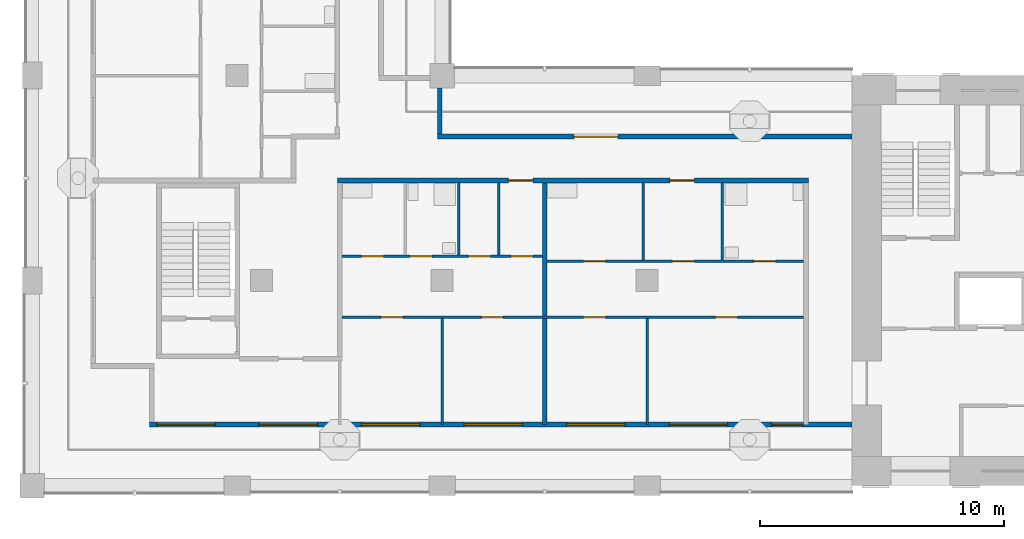
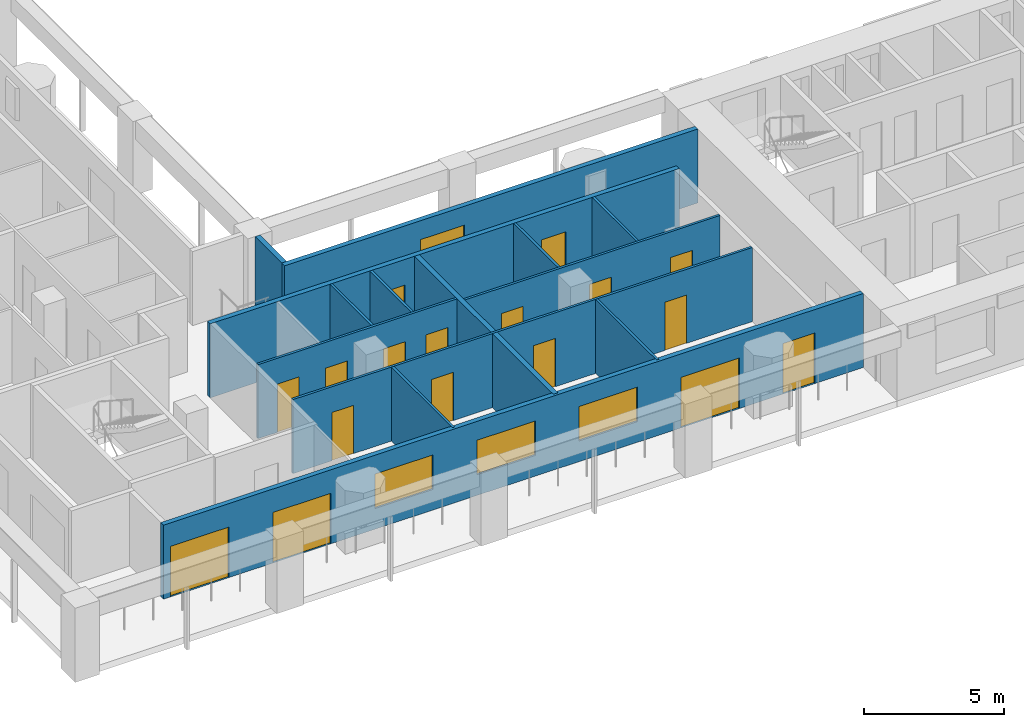
# One storey, part 2 of 12: 18 doors, 14 walls, 3 windows, 21 openings.
"""IFC4 building model written with IfcOpenShell, lengths in metres."""

from ifc_helpers import new_model, si_unit, direction, frame, frame_2d, origin, place, context, subcontext, project, spatial, rectangle, extrude, material, layer, layer_set, type_object, element, fill, save


model = new_model("IFC4")

# Units and contexts
model_context = context("Model", 3, precision=1e-05, world=origin(), true_north=direction((0.0, 1.0)))
body_context = subcontext(model_context, "Body", "Model", "MODEL_VIEW")
ifc_project = project(units=[si_unit("LENGTHUNIT", "METRE"), si_unit("AREAUNIT", "SQUARE_METRE"), si_unit("VOLUMEUNIT", "CUBIC_METRE"), si_unit("PLANEANGLEUNIT", "RADIAN"), si_unit("MASSUNIT", "GRAM", prefix="KILO")], contexts=[model_context])

# Site, building, storey
site_placement = place(None, origin())
site = spatial("IfcSite", under=ifc_project, at=site_placement, CompositionType="ELEMENT")
building_placement = place(site_placement, origin())
building = spatial("IfcBuilding", under=site, at=building_placement, Name="Vermilion Gate Residences", CompositionType="ELEMENT")
storey_placement = place(building_placement, frame((0.0, 0.0, 217.699951171875)))
storey = spatial("IfcBuildingStorey", under=building, at=storey_placement, Name="L56", CompositionType="ELEMENT", Elevation=217.699951171875)

# Wall, openings, doors, windows
ifc_material_1 = material(Name="Insulated steel stud wall with terracotta rainscreen", Category="masonry")
ifc_layer_1 = layer(ifc_material_1, 0.199951171875)
ifc_layer_set_1 = layer_set([ifc_layer_1], Name="EXTERNAL WALL 200 TERRACOTTA RAINSCREEN")
wall_type_1 = type_object("IfcWallType", Name="EXTERNAL WALL 200 TERRACOTTA RAINSCREEN", PredefinedType="SOLIDWALL", material=ifc_layer_set_1)
wall_1_placement = place(storey_placement, frame((13.199951171875, 10.89990234375, 0.0), z_axis=(0.0, 0.0, 1.0), x_axis=(1.0, 0.0, 0.0)))
wall_1 = element("IfcWall", 1, at=wall_1_placement, inside=storey, type_object=wall_type_1, Name="External wall", PredefinedType="SOLIDWALL", context=body_context, shape_type="SweptSolid", body=[
    extrude(rectangle(XDim=28.800048828125, YDim=0.199951171875, at=frame_2d((14.39990234375, 0.0))), origin(), (0.0, 0.0, 1.0), 3.219970703125),
])
opening_1_placement = place(wall_1_placement, frame((0.300048828125, 0.0, 0.0)))
opening_1 = element("IfcOpeningElement", 2, at=opening_1_placement, cuts=wall_1, Name="Opening DE56008", PredefinedType="OPENING", context=body_context, shape_type="SweptSolid", body=[
    extrude(rectangle(XDim=2.39990234375, YDim=2.199951171875, at=frame_2d((1.199951171875, 1.10009765625))), frame((0.0, 0.10986328125, 0.0), z_axis=(0.0, -1.0, 0.0), x_axis=(1.0, 0.0, 0.0)), (0.0, 0.0, 1.0), 0.219970703125),
])
opening_2_placement = place(wall_1_placement, frame((4.5, 0.0, 0.0)))
opening_2 = element("IfcOpeningElement", 3, at=opening_2_placement, cuts=wall_1, Name="Opening DE56009", PredefinedType="OPENING", context=body_context, shape_type="SweptSolid", body=[
    extrude(rectangle(XDim=2.39990234375, YDim=2.199951171875, at=frame_2d((1.199951171875, 1.10009765625))), frame((0.0, 0.10986328125, 0.0), z_axis=(0.0, -1.0, 0.0), x_axis=(1.0, 0.0, 0.0)), (0.0, 0.0, 1.0), 0.219970703125),
])
opening_3_placement = place(wall_1_placement, frame((8.699951171875, 0.0, 0.89990234375)))
opening_3 = element("IfcOpeningElement", 4, at=opening_3_placement, cuts=wall_1, Name="Opening WE56010", PredefinedType="OPENING", context=body_context, shape_type="SweptSolid", body=[
    extrude(rectangle(XDim=2.39990234375, YDim=1.5, at=frame_2d((1.199951171875, 0.75))), frame((0.0, 0.10986328125, 0.0), z_axis=(0.0, -1.0, 0.0), x_axis=(1.0, 0.0, 0.0)), (0.0, 0.0, 1.0), 0.219970703125),
])
opening_4_placement = place(wall_1_placement, frame((12.89990234375, 0.0, 0.89990234375)))
opening_4 = element("IfcOpeningElement", 5, at=opening_4_placement, cuts=wall_1, Name="Opening WE56011", PredefinedType="OPENING", context=body_context, shape_type="SweptSolid", body=[
    extrude(rectangle(XDim=2.39990234375, YDim=1.5, at=frame_2d((1.199951171875, 0.75))), frame((0.0, 0.10986328125, 0.0), z_axis=(0.0, -1.0, 0.0), x_axis=(1.0, 0.0, 0.0)), (0.0, 0.0, 1.0), 0.219970703125),
])
opening_5_placement = place(wall_1_placement, frame((17.10009765625, 0.0, 0.89990234375)))
opening_5 = element("IfcOpeningElement", 6, at=opening_5_placement, cuts=wall_1, Name="Opening WE56012", PredefinedType="OPENING", context=body_context, shape_type="SweptSolid", body=[
    extrude(rectangle(XDim=2.39990234375, YDim=1.5, at=frame_2d((1.199951171875, 0.75))), frame((0.0, 0.10986328125, 0.0), z_axis=(0.0, -1.0, 0.0), x_axis=(1.0, 0.0, 0.0)), (0.0, 0.0, 1.0), 0.219970703125),
])
opening_6_placement = place(wall_1_placement, frame((21.300048828125, 0.0, 0.0)))
opening_6 = element("IfcOpeningElement", 7, at=opening_6_placement, cuts=wall_1, Name="Opening DE56013", PredefinedType="OPENING", context=body_context, shape_type="SweptSolid", body=[
    extrude(rectangle(XDim=2.39990234375, YDim=2.199951171875, at=frame_2d((1.199951171875, 1.10009765625))), frame((0.0, 0.10986328125, 0.0), z_axis=(0.0, -1.0, 0.0), x_axis=(1.0, 0.0, 0.0)), (0.0, 0.0, 1.0), 0.219970703125),
])
opening_7_placement = place(wall_1_placement, frame((25.5, 0.0, 0.0)))
opening_7 = element("IfcOpeningElement", 8, at=opening_7_placement, cuts=wall_1, Name="Opening DE56014", PredefinedType="OPENING", context=body_context, shape_type="SweptSolid", body=[
    extrude(rectangle(XDim=1.300048828125, YDim=2.199951171875, at=frame_2d((0.64990234375, 1.10009765625))), frame((0.0, 0.10986328125, 0.0), z_axis=(0.0, -1.0, 0.0), x_axis=(1.0, 0.0, 0.0)), (0.0, 0.0, 1.0), 0.219970703125),
])
ifc_material_2 = material(Name="Aluminium and clear glass", Category="aluminium")
door_type_1 = type_object("IfcDoorType", Name="SLIDING GLAZED DOOR 1300 X 2200", OperationType="DOUBLE_DOOR_SLIDING", PredefinedType="DOOR", material=ifc_material_2)
door_1_placement = place(opening_7_placement, origin())
door_1 = element("IfcDoor", 9, at=door_1_placement, inside=storey, type_object=door_type_1, Name="Loggia sliding door", OperationType="DOUBLE_DOOR_SLIDING", OverallHeight=2.199951171875, OverallWidth=1.300048828125, PredefinedType="DOOR", context=body_context, shape_type="SweptSolid", body=[
    extrude(rectangle(XDim=1.300048828125, YDim=2.199951171875, at=frame_2d((0.64990234375, 1.10009765625))), frame((0.0, 0.02490234375, 0.0), z_axis=(0.0, -1.0, 0.0), x_axis=(1.0, 0.0, 0.0)), (0.0, 0.0, 1.0), 0.050048828125),
])
fill(opening_7, door_1)
ifc_material_3 = material(Name="Aluminium and clear glass", Category="aluminium")
door_type_2 = type_object("IfcDoorType", Name="SLIDING GLAZED DOOR 2400 X 2200", OperationType="DOUBLE_DOOR_SLIDING", PredefinedType="DOOR", material=ifc_material_3)
door_2_placement = place(opening_1_placement, origin())
door_2 = element("IfcDoor", 10, at=door_2_placement, inside=storey, type_object=door_type_2, Name="Loggia sliding door", OperationType="DOUBLE_DOOR_SLIDING", OverallHeight=2.199951171875, OverallWidth=2.39990234375, PredefinedType="DOOR", context=body_context, shape_type="SweptSolid", body=[
    extrude(rectangle(XDim=2.39990234375, YDim=2.199951171875, at=frame_2d((1.199951171875, 1.10009765625))), frame((0.0, 0.02490234375, 0.0), z_axis=(0.0, -1.0, 0.0), x_axis=(1.0, 0.0, 0.0)), (0.0, 0.0, 1.0), 0.050048828125),
])
fill(opening_1, door_2)
door_3_placement = place(opening_2_placement, origin())
door_3 = element("IfcDoor", 11, at=door_3_placement, inside=storey, type_object=door_type_2, Name="Loggia sliding door", OperationType="DOUBLE_DOOR_SLIDING", OverallHeight=2.199951171875, OverallWidth=2.39990234375, PredefinedType="DOOR", context=body_context, shape_type="SweptSolid", body=[
    extrude(rectangle(XDim=2.39990234375, YDim=2.199951171875, at=frame_2d((1.199951171875, 1.10009765625))), frame((0.0, 0.02490234375, 0.0), z_axis=(0.0, -1.0, 0.0), x_axis=(1.0, 0.0, 0.0)), (0.0, 0.0, 1.0), 0.050048828125),
])
fill(opening_2, door_3)
door_4_placement = place(opening_6_placement, origin())
door_4 = element("IfcDoor", 12, at=door_4_placement, inside=storey, type_object=door_type_2, Name="Loggia sliding door", OperationType="DOUBLE_DOOR_SLIDING", OverallHeight=2.199951171875, OverallWidth=2.39990234375, PredefinedType="DOOR", context=body_context, shape_type="SweptSolid", body=[
    extrude(rectangle(XDim=2.39990234375, YDim=2.199951171875, at=frame_2d((1.199951171875, 1.10009765625))), frame((0.0, 0.02490234375, 0.0), z_axis=(0.0, -1.0, 0.0), x_axis=(1.0, 0.0, 0.0)), (0.0, 0.0, 1.0), 0.050048828125),
])
fill(opening_6, door_4)
ifc_material_4 = material(Name="Aluminium and clear glass", Category="aluminium")
window_type = type_object("IfcWindowType", Name="WINDOW 2400 X 1500", PartitioningType="SINGLE_PANEL", PredefinedType="WINDOW", material=ifc_material_4)
window_1_placement = place(opening_3_placement, origin())
window_1 = element("IfcWindow", 13, at=window_1_placement, inside=storey, type_object=window_type, Name="Window", OverallHeight=1.5, OverallWidth=2.39990234375, PartitioningType="SINGLE_PANEL", PredefinedType="WINDOW", context=body_context, shape_type="SweptSolid", body=[
    extrude(rectangle(XDim=2.39990234375, YDim=1.5, at=frame_2d((1.199951171875, 0.75))), frame((0.0, 0.030029296875, 0.0), z_axis=(0.0, -1.0, 0.0), x_axis=(1.0, 0.0, 0.0)), (0.0, 0.0, 1.0), 0.06005859375),
])
fill(opening_3, window_1)
window_2_placement = place(opening_4_placement, origin())
window_2 = element("IfcWindow", 14, at=window_2_placement, inside=storey, type_object=window_type, Name="Window", OverallHeight=1.5, OverallWidth=2.39990234375, PartitioningType="SINGLE_PANEL", PredefinedType="WINDOW", context=body_context, shape_type="SweptSolid", body=[
    extrude(rectangle(XDim=2.39990234375, YDim=1.5, at=frame_2d((1.199951171875, 0.75))), frame((0.0, 0.030029296875, 0.0), z_axis=(0.0, -1.0, 0.0), x_axis=(1.0, 0.0, 0.0)), (0.0, 0.0, 1.0), 0.06005859375),
])
fill(opening_4, window_2)
window_3_placement = place(opening_5_placement, origin())
window_3 = element("IfcWindow", 15, at=window_3_placement, inside=storey, type_object=window_type, Name="Window", OverallHeight=1.5, OverallWidth=2.39990234375, PartitioningType="SINGLE_PANEL", PredefinedType="WINDOW", context=body_context, shape_type="SweptSolid", body=[
    extrude(rectangle(XDim=2.39990234375, YDim=1.5, at=frame_2d((1.199951171875, 0.75))), frame((0.0, 0.030029296875, 0.0), z_axis=(0.0, -1.0, 0.0), x_axis=(1.0, 0.0, 0.0)), (0.0, 0.0, 1.0), 0.06005859375),
])
fill(opening_5, window_3)

# Wall, opening, door
wall_2_placement = place(storey_placement, frame((42.0, 22.699951171875, 0.0), z_axis=(0.0, 0.0, 1.0), x_axis=(-1.0, 0.0, 0.0)))
wall_2 = element("IfcWall", 16, at=wall_2_placement, inside=storey, type_object=wall_type_1, Name="External wall", PredefinedType="SOLIDWALL", context=body_context, shape_type="SweptSolid", body=[
    extrude(rectangle(XDim=17.0, YDim=0.199951171875, at=frame_2d((8.5, 0.0))), origin(), (0.0, 0.0, 1.0), 3.219970703125),
])
opening_8_placement = place(wall_2_placement, frame((9.60009765625, 0.0, 0.0)))
opening_8 = element("IfcOpeningElement", 17, at=opening_8_placement, cuts=wall_2, Name="Opening DE56015", PredefinedType="OPENING", context=body_context, shape_type="SweptSolid", body=[
    extrude(rectangle(XDim=1.800048828125, YDim=2.39990234375, at=frame_2d((0.89990234375, 1.199951171875))), frame((0.0, 0.10986328125, 0.0), z_axis=(0.0, -1.0, 0.0), x_axis=(1.0, 0.0, 0.0)), (0.0, 0.0, 1.0), 0.219970703125),
])
ifc_material_5 = material(Name="Aluminium and clear glass", Category="aluminium")
door_type_3 = type_object("IfcDoorType", Name="GLAZED EXTERNAL DOOR 1800 X 2400", OperationType="DOUBLE_DOOR_SINGLE_SWING", PredefinedType="DOOR", material=ifc_material_5)
door_5_placement = place(opening_8_placement, frame((1.800048828125, 0.0, 0.0), z_axis=(0.0, 0.0, 1.0), x_axis=(-1.0, 0.0, 0.0)))
door_5 = element("IfcDoor", 18, at=door_5_placement, inside=storey, type_object=door_type_3, Name="Gallery door", OperationType="DOUBLE_DOOR_SINGLE_SWING", OverallHeight=2.39990234375, OverallWidth=1.800048828125, PredefinedType="DOOR", context=body_context, shape_type="SweptSolid", body=[
    extrude(rectangle(XDim=1.800048828125, YDim=2.39990234375, at=frame_2d((0.89990234375, 1.199951171875))), frame((0.0, 0.02490234375, 0.0), z_axis=(0.0, -1.0, 0.0), x_axis=(1.0, 0.0, 0.0)), (0.0, 0.0, 1.0), 0.050048828125),
])
fill(opening_8, door_5)

# Wall
wall_3_placement = place(storey_placement, frame((25.10009765625, 22.800048828125, 0.0), z_axis=(0.0, 0.0, 1.0), x_axis=(0.0, 1.0, 0.0)))
element("IfcWall", 19, at=wall_3_placement, inside=storey, type_object=wall_type_1, Name="External wall", PredefinedType="SOLIDWALL", context=body_context, shape_type="SweptSolid", body=[
    extrude(rectangle(XDim=1.89990234375, YDim=0.199951171875, at=frame_2d((0.949951171875, 0.0))), origin(), (0.0, 0.0, 1.0), 3.219970703125),
])

# Wall, openings, doors
ifc_material_6 = material(Name="Plasterboard on steel studs", Category="steel")
ifc_layer_2 = layer(ifc_material_6, 0.10009765625)
ifc_layer_set_2 = layer_set([ifc_layer_2], Name="PARTITION 100")
wall_type_2 = type_object("IfcWallType", Name="PARTITION 100", PredefinedType="PARTITIONING", material=ifc_layer_set_2)
wall_4_placement = place(storey_placement, frame((21.10009765625, 15.300048828125, 0.0), z_axis=(0.0, 0.0, 1.0), x_axis=(1.0, 0.0, 0.0)))
wall_4 = element("IfcWall", 20, at=wall_4_placement, inside=storey, type_object=wall_type_2, Name="Partition", PredefinedType="PARTITIONING", context=body_context, shape_type="SweptSolid", body=[
    extrude(rectangle(XDim=18.89990234375, YDim=0.10009765625, at=frame_2d((9.449951171875, 0.0))), origin(), (0.0, 0.0, 1.0), 3.219970703125),
])
opening_9_placement = place(wall_4_placement, frame((1.60009765625, 0.0, 0.0)))
opening_9 = element("IfcOpeningElement", 21, at=opening_9_placement, cuts=wall_4, Name="Opening DA55002", PredefinedType="OPENING", context=body_context, shape_type="SweptSolid", body=[
    extrude(rectangle(XDim=0.89990234375, YDim=2.10009765625, at=frame_2d((0.449951171875, 1.050048828125))), frame((0.0, 0.06005859375, 0.0), z_axis=(0.0, -1.0, 0.0), x_axis=(1.0, 0.0, 0.0)), (0.0, 0.0, 1.0), 0.1201171875),
])
opening_10_placement = place(wall_4_placement, frame((5.699951171875, 0.0, 0.0)))
opening_10 = element("IfcOpeningElement", 22, at=opening_10_placement, cuts=wall_4, Name="Opening DA55003", PredefinedType="OPENING", context=body_context, shape_type="SweptSolid", body=[
    extrude(rectangle(XDim=0.89990234375, YDim=2.10009765625, at=frame_2d((0.449951171875, 1.050048828125))), frame((0.0, 0.06005859375, 0.0), z_axis=(0.0, -1.0, 0.0), x_axis=(1.0, 0.0, 0.0)), (0.0, 0.0, 1.0), 0.1201171875),
])
opening_11_placement = place(wall_4_placement, frame((9.89990234375, 0.0, 0.0)))
opening_11 = element("IfcOpeningElement", 23, at=opening_11_placement, cuts=wall_4, Name="Opening DA55004", PredefinedType="OPENING", context=body_context, shape_type="SweptSolid", body=[
    extrude(rectangle(XDim=0.89990234375, YDim=2.10009765625, at=frame_2d((0.449951171875, 1.050048828125))), frame((0.0, 0.06005859375, 0.0), z_axis=(0.0, -1.0, 0.0), x_axis=(1.0, 0.0, 0.0)), (0.0, 0.0, 1.0), 0.1201171875),
])
opening_12_placement = place(wall_4_placement, frame((15.300048828125, 0.0, 0.0)))
opening_12 = element("IfcOpeningElement", 24, at=opening_12_placement, cuts=wall_4, Name="Opening DA55005", PredefinedType="OPENING", context=body_context, shape_type="SweptSolid", body=[
    extrude(rectangle(XDim=0.89990234375, YDim=2.10009765625, at=frame_2d((0.449951171875, 1.050048828125))), frame((0.0, 0.06005859375, 0.0), z_axis=(0.0, -1.0, 0.0), x_axis=(1.0, 0.0, 0.0)), (0.0, 0.0, 1.0), 0.1201171875),
])
ifc_material_7 = material(Name="Timber", Category="wood")
door_type_4 = type_object("IfcDoorType", Name="INTERIOR DOOR 900 X 2100", OperationType="SINGLE_SWING_LEFT", PredefinedType="DOOR", material=ifc_material_7)
door_6_placement = place(opening_9_placement, frame((0.89990234375, 0.0, 0.0), z_axis=(0.0, 0.0, 1.0), x_axis=(-1.0, 0.0, 0.0)))
door_6 = element("IfcDoor", 25, at=door_6_placement, inside=storey, type_object=door_type_4, Name="Interior door", OperationType="SINGLE_SWING_LEFT", OverallHeight=2.10009765625, OverallWidth=0.89990234375, PredefinedType="DOOR", context=body_context, shape_type="SweptSolid", body=[
    extrude(rectangle(XDim=0.89990234375, YDim=2.10009765625, at=frame_2d((0.449951171875, 1.050048828125))), frame((0.0, 0.02490234375, 0.0), z_axis=(0.0, -1.0, 0.0), x_axis=(1.0, 0.0, 0.0)), (0.0, 0.0, 1.0), 0.050048828125),
])
fill(opening_9, door_6)
door_7_placement = place(opening_10_placement, frame((0.89990234375, 0.0, 0.0), z_axis=(0.0, 0.0, 1.0), x_axis=(-1.0, 0.0, 0.0)))
door_7 = element("IfcDoor", 26, at=door_7_placement, inside=storey, type_object=door_type_4, Name="Interior door", OperationType="SINGLE_SWING_RIGHT", OverallHeight=2.10009765625, OverallWidth=0.89990234375, PredefinedType="DOOR", context=body_context, shape_type="SweptSolid", body=[
    extrude(rectangle(XDim=0.89990234375, YDim=2.10009765625, at=frame_2d((0.449951171875, 1.050048828125))), frame((0.0, 0.02490234375, 0.0), z_axis=(0.0, -1.0, 0.0), x_axis=(1.0, 0.0, 0.0)), (0.0, 0.0, 1.0), 0.050048828125),
])
fill(opening_10, door_7)
door_8_placement = place(opening_11_placement, frame((0.89990234375, 0.0, 0.0), z_axis=(0.0, 0.0, 1.0), x_axis=(-1.0, 0.0, 0.0)))
door_8 = element("IfcDoor", 27, at=door_8_placement, inside=storey, type_object=door_type_4, Name="Interior door", OperationType="SINGLE_SWING_RIGHT", OverallHeight=2.10009765625, OverallWidth=0.89990234375, PredefinedType="DOOR", context=body_context, shape_type="SweptSolid", body=[
    extrude(rectangle(XDim=0.89990234375, YDim=2.10009765625, at=frame_2d((0.449951171875, 1.050048828125))), frame((0.0, 0.02490234375, 0.0), z_axis=(0.0, -1.0, 0.0), x_axis=(1.0, 0.0, 0.0)), (0.0, 0.0, 1.0), 0.050048828125),
])
fill(opening_11, door_8)
door_9_placement = place(opening_12_placement, frame((0.89990234375, 0.0, 0.0), z_axis=(0.0, 0.0, 1.0), x_axis=(-1.0, 0.0, 0.0)))
door_9 = element("IfcDoor", 28, at=door_9_placement, inside=storey, type_object=door_type_4, Name="Interior door", OperationType="SINGLE_SWING_LEFT", OverallHeight=2.10009765625, OverallWidth=0.89990234375, PredefinedType="DOOR", context=body_context, shape_type="SweptSolid", body=[
    extrude(rectangle(XDim=0.89990234375, YDim=2.10009765625, at=frame_2d((0.449951171875, 1.050048828125))), frame((0.0, 0.02490234375, 0.0), z_axis=(0.0, -1.0, 0.0), x_axis=(1.0, 0.0, 0.0)), (0.0, 0.0, 1.0), 0.050048828125),
])
fill(opening_12, door_9)

wall_5_placement = place(storey_placement, frame((29.5, 17.60009765625, 0.0), z_axis=(0.0, 0.0, 1.0), x_axis=(1.0, 0.0, 0.0)))
wall_5 = element("IfcWall", 29, at=wall_5_placement, inside=storey, type_object=wall_type_2, Name="Partition", PredefinedType="PARTITIONING", context=body_context, shape_type="SweptSolid", body=[
    extrude(rectangle(XDim=10.5, YDim=0.10009765625, at=frame_2d((5.25, 0.0))), origin(), (0.0, 0.0, 1.0), 3.219970703125),
])
opening_13_placement = place(wall_5_placement, frame((5.133056640625, 0.0, 0.0)))
opening_13 = element("IfcOpeningElement", 30, at=opening_13_placement, cuts=wall_5, Name="Opening DA55006", PredefinedType="OPENING", context=body_context, shape_type="SweptSolid", body=[
    extrude(rectangle(XDim=0.89990234375, YDim=2.10009765625, at=frame_2d((0.449951171875, 1.050048828125))), frame((0.0, 0.06005859375, 0.0), z_axis=(0.0, -1.0, 0.0), x_axis=(1.0, 0.0, 0.0)), (0.0, 0.0, 1.0), 0.1201171875),
])
opening_14_placement = place(wall_5_placement, frame((1.5, 0.0, 0.0)))
opening_14 = element("IfcOpeningElement", 31, at=opening_14_placement, cuts=wall_5, Name="Opening DA55007", PredefinedType="OPENING", context=body_context, shape_type="SweptSolid", body=[
    extrude(rectangle(XDim=0.89990234375, YDim=2.10009765625, at=frame_2d((0.449951171875, 1.050048828125))), frame((0.0, 0.06005859375, 0.0), z_axis=(0.0, -1.0, 0.0), x_axis=(1.0, 0.0, 0.0)), (0.0, 0.0, 1.0), 0.1201171875),
])
opening_15_placement = place(wall_5_placement, frame((8.467041015625, 0.0, 0.0)))
opening_15 = element("IfcOpeningElement", 32, at=opening_15_placement, cuts=wall_5, Name="Opening DA55008", PredefinedType="OPENING", context=body_context, shape_type="SweptSolid", body=[
    extrude(rectangle(XDim=0.89990234375, YDim=2.10009765625, at=frame_2d((0.449951171875, 1.050048828125))), frame((0.0, 0.06005859375, 0.0), z_axis=(0.0, -1.0, 0.0), x_axis=(1.0, 0.0, 0.0)), (0.0, 0.0, 1.0), 0.1201171875),
])
door_10_placement = place(opening_13_placement, origin())
door_10 = element("IfcDoor", 33, at=door_10_placement, inside=storey, type_object=door_type_4, Name="Interior door", OperationType="SINGLE_SWING_RIGHT", OverallHeight=2.10009765625, OverallWidth=0.89990234375, PredefinedType="DOOR", context=body_context, shape_type="SweptSolid", body=[
    extrude(rectangle(XDim=0.89990234375, YDim=2.10009765625, at=frame_2d((0.449951171875, 1.050048828125))), frame((0.0, 0.02490234375, 0.0), z_axis=(0.0, -1.0, 0.0), x_axis=(1.0, 0.0, 0.0)), (0.0, 0.0, 1.0), 0.050048828125),
])
fill(opening_13, door_10)
door_11_placement = place(opening_14_placement, origin())
door_11 = element("IfcDoor", 34, at=door_11_placement, inside=storey, type_object=door_type_4, Name="Interior door", OperationType="SINGLE_SWING_RIGHT", OverallHeight=2.10009765625, OverallWidth=0.89990234375, PredefinedType="DOOR", context=body_context, shape_type="SweptSolid", body=[
    extrude(rectangle(XDim=0.89990234375, YDim=2.10009765625, at=frame_2d((0.449951171875, 1.050048828125))), frame((0.0, 0.02490234375, 0.0), z_axis=(0.0, -1.0, 0.0), x_axis=(1.0, 0.0, 0.0)), (0.0, 0.0, 1.0), 0.050048828125),
])
fill(opening_14, door_11)
door_12_placement = place(opening_15_placement, origin())
door_12 = element("IfcDoor", 35, at=door_12_placement, inside=storey, type_object=door_type_4, Name="Interior door", OperationType="SINGLE_SWING_LEFT", OverallHeight=2.10009765625, OverallWidth=0.89990234375, PredefinedType="DOOR", context=body_context, shape_type="SweptSolid", body=[
    extrude(rectangle(XDim=0.89990234375, YDim=2.10009765625, at=frame_2d((0.449951171875, 1.050048828125))), frame((0.0, 0.02490234375, 0.0), z_axis=(0.0, -1.0, 0.0), x_axis=(1.0, 0.0, 0.0)), (0.0, 0.0, 1.0), 0.050048828125),
])
fill(opening_15, door_12)

wall_6_placement = place(storey_placement, frame((21.10009765625, 17.800048828125, 0.0), z_axis=(0.0, 0.0, 1.0), x_axis=(1.0, 0.0, 0.0)))
wall_6 = element("IfcWall", 36, at=wall_6_placement, inside=storey, type_object=wall_type_2, Name="Partition", PredefinedType="PARTITIONING", context=body_context, shape_type="SweptSolid", body=[
    extrude(rectangle(XDim=8.199951171875, YDim=0.10009765625, at=frame_2d((4.10009765625, 0.0))), origin(), (0.0, 0.0, 1.0), 3.219970703125),
])
opening_16_placement = place(wall_6_placement, frame((6.916015625, 0.0, 0.0)))
opening_16 = element("IfcOpeningElement", 37, at=opening_16_placement, cuts=wall_6, Name="Opening DA55009", PredefinedType="OPENING", context=body_context, shape_type="SweptSolid", body=[
    extrude(rectangle(XDim=0.89990234375, YDim=2.10009765625, at=frame_2d((0.449951171875, 1.050048828125))), frame((0.0, 0.06005859375, 0.0), z_axis=(0.0, -1.0, 0.0), x_axis=(1.0, 0.0, 0.0)), (0.0, 0.0, 1.0), 0.1201171875),
])
opening_17_placement = place(wall_6_placement, frame((0.800048828125, 0.0, 0.0)))
opening_17 = element("IfcOpeningElement", 38, at=opening_17_placement, cuts=wall_6, Name="Opening DA55010", PredefinedType="OPENING", context=body_context, shape_type="SweptSolid", body=[
    extrude(rectangle(XDim=0.89990234375, YDim=2.10009765625, at=frame_2d((0.449951171875, 1.050048828125))), frame((0.0, 0.06005859375, 0.0), z_axis=(0.0, -1.0, 0.0), x_axis=(1.0, 0.0, 0.0)), (0.0, 0.0, 1.0), 0.1201171875),
])
opening_18_placement = place(wall_6_placement, frame((2.783935546875, 0.0, 0.0)))
opening_18 = element("IfcOpeningElement", 39, at=opening_18_placement, cuts=wall_6, Name="Opening DA55011", PredefinedType="OPENING", context=body_context, shape_type="SweptSolid", body=[
    extrude(rectangle(XDim=0.89990234375, YDim=2.10009765625, at=frame_2d((0.449951171875, 1.050048828125))), frame((0.0, 0.06005859375, 0.0), z_axis=(0.0, -1.0, 0.0), x_axis=(1.0, 0.0, 0.0)), (0.0, 0.0, 1.0), 0.1201171875),
])
opening_19_placement = place(wall_6_placement, frame((5.174072265625, 0.0, 0.0)))
opening_19 = element("IfcOpeningElement", 40, at=opening_19_placement, cuts=wall_6, Name="Opening DA55012", PredefinedType="OPENING", context=body_context, shape_type="SweptSolid", body=[
    extrude(rectangle(XDim=0.89990234375, YDim=2.10009765625, at=frame_2d((0.449951171875, 1.050048828125))), frame((0.0, 0.06005859375, 0.0), z_axis=(0.0, -1.0, 0.0), x_axis=(1.0, 0.0, 0.0)), (0.0, 0.0, 1.0), 0.1201171875),
])
door_13_placement = place(opening_16_placement, origin())
door_13 = element("IfcDoor", 41, at=door_13_placement, inside=storey, type_object=door_type_4, Name="Interior door", OperationType="SINGLE_SWING_RIGHT", OverallHeight=2.10009765625, OverallWidth=0.89990234375, PredefinedType="DOOR", context=body_context, shape_type="SweptSolid", body=[
    extrude(rectangle(XDim=0.89990234375, YDim=2.10009765625, at=frame_2d((0.449951171875, 1.050048828125))), frame((0.0, 0.02490234375, 0.0), z_axis=(0.0, -1.0, 0.0), x_axis=(1.0, 0.0, 0.0)), (0.0, 0.0, 1.0), 0.050048828125),
])
fill(opening_16, door_13)
door_14_placement = place(opening_17_placement, origin())
door_14 = element("IfcDoor", 42, at=door_14_placement, inside=storey, type_object=door_type_4, Name="Interior door", OperationType="SINGLE_SWING_LEFT", OverallHeight=2.10009765625, OverallWidth=0.89990234375, PredefinedType="DOOR", context=body_context, shape_type="SweptSolid", body=[
    extrude(rectangle(XDim=0.89990234375, YDim=2.10009765625, at=frame_2d((0.449951171875, 1.050048828125))), frame((0.0, 0.02490234375, 0.0), z_axis=(0.0, -1.0, 0.0), x_axis=(1.0, 0.0, 0.0)), (0.0, 0.0, 1.0), 0.050048828125),
])
fill(opening_17, door_14)
door_15_placement = place(opening_18_placement, origin())
door_15 = element("IfcDoor", 43, at=door_15_placement, inside=storey, type_object=door_type_4, Name="Interior door", OperationType="SINGLE_SWING_LEFT", OverallHeight=2.10009765625, OverallWidth=0.89990234375, PredefinedType="DOOR", context=body_context, shape_type="SweptSolid", body=[
    extrude(rectangle(XDim=0.89990234375, YDim=2.10009765625, at=frame_2d((0.449951171875, 1.050048828125))), frame((0.0, 0.02490234375, 0.0), z_axis=(0.0, -1.0, 0.0), x_axis=(1.0, 0.0, 0.0)), (0.0, 0.0, 1.0), 0.050048828125),
])
fill(opening_18, door_15)
door_16_placement = place(opening_19_placement, origin())
door_16 = element("IfcDoor", 44, at=door_16_placement, inside=storey, type_object=door_type_4, Name="Interior door", OperationType="SINGLE_SWING_RIGHT", OverallHeight=2.10009765625, OverallWidth=0.89990234375, PredefinedType="DOOR", context=body_context, shape_type="SweptSolid", body=[
    extrude(rectangle(XDim=0.89990234375, YDim=2.10009765625, at=frame_2d((0.449951171875, 1.050048828125))), frame((0.0, 0.02490234375, 0.0), z_axis=(0.0, -1.0, 0.0), x_axis=(1.0, 0.0, 0.0)), (0.0, 0.0, 1.0), 0.050048828125),
])
fill(opening_19, door_16)

# Walls
wall_7_placement = place(storey_placement, frame((25.199951171875, 10.89990234375, 0.0), z_axis=(0.0, 0.0, 1.0), x_axis=(0.0, 1.0, 0.0)))
element("IfcWall", 45, at=wall_7_placement, inside=storey, type_object=wall_type_2, Name="Partition", PredefinedType="PARTITIONING", context=body_context, shape_type="SweptSolid", body=[
    extrude(rectangle(XDim=4.35009765625, YDim=0.10009765625, at=frame_2d((2.175048828125, 0.0))), origin(), (0.0, 0.0, 1.0), 3.219970703125),
])
for number, where, z_axis, x_axis, name in (
    (46, (25.8740234375, 17.85009765625, 0.0), (0.0, 0.0, 1.0), (0.0, 1.0, 0.0), "Partition"),
    (47, (27.51611328125, 17.85009765625, 0.0), (0.0, 0.0, 1.0), (0.0, 1.0, 0.0), "Partition"),
):
    element("IfcWall", number, at=place(storey_placement, frame(where, z_axis=z_axis, x_axis=x_axis)), inside=storey, type_object=wall_type_2, Name=name, PredefinedType="PARTITIONING", context=body_context, shape_type="SweptSolid", body=[
        extrude(rectangle(XDim=2.949951171875, YDim=0.10009765625, at=frame_2d((1.47509765625, 0.0))), origin(), (0.0, 0.0, 1.0), 3.219970703125),
    ])
wall_8_placement = place(storey_placement, frame((33.43310546875, 17.64990234375, 0.0), z_axis=(0.0, 0.0, 1.0), x_axis=(0.0, 1.0, 0.0)))
element("IfcWall", 48, at=wall_8_placement, inside=storey, type_object=wall_type_2, Name="Partition", PredefinedType="PARTITIONING", context=body_context, shape_type="SweptSolid", body=[
    extrude(rectangle(XDim=3.150146484375, YDim=0.10009765625, at=frame_2d((1.5751953125, 0.0))), origin(), (0.0, 0.0, 1.0), 3.219970703125),
])
wall_9_placement = place(storey_placement, frame((33.60009765625, 10.89990234375, 0.0), z_axis=(0.0, 0.0, 1.0), x_axis=(0.0, 1.0, 0.0)))
element("IfcWall", 49, at=wall_9_placement, inside=storey, type_object=wall_type_2, Name="Partition", PredefinedType="PARTITIONING", context=body_context, shape_type="SweptSolid", body=[
    extrude(rectangle(XDim=4.35009765625, YDim=0.10009765625, at=frame_2d((2.175048828125, 0.0))), origin(), (0.0, 0.0, 1.0), 3.219970703125),
])
wall_10_placement = place(storey_placement, frame((36.6669921875, 17.64990234375, 0.0), z_axis=(0.0, 0.0, 1.0), x_axis=(0.0, 1.0, 0.0)))
element("IfcWall", 50, at=wall_10_placement, inside=storey, type_object=wall_type_2, Name="Partition", PredefinedType="PARTITIONING", context=body_context, shape_type="SweptSolid", body=[
    extrude(rectangle(XDim=3.150146484375, YDim=0.10009765625, at=frame_2d((1.5751953125, 0.0))), origin(), (0.0, 0.0, 1.0), 3.219970703125),
])

# Wall, openings, doors
ifc_material_8 = material(Name="Fire-rated plasterboard on steel studs", Category="steel")
ifc_layer_3 = layer(ifc_material_8, 0.199951171875)
ifc_layer_set_3 = layer_set([ifc_layer_3], Name="PARTY WALL 200 EI 120")
wall_type_3 = type_object("IfcWallType", Name="PARTY WALL 200 EI 120", PredefinedType="PARTITIONING", material=ifc_layer_set_3)
wall_11_placement = place(storey_placement, frame((20.89990234375, 20.89990234375, 0.0), z_axis=(0.0, 0.0, 1.0), x_axis=(1.0, 0.0, 0.0)))
wall_11 = element("IfcWall", 51, at=wall_11_placement, inside=storey, type_object=wall_type_3, Name="Party and corridor wall", PredefinedType="PARTITIONING", context=body_context, shape_type="SweptSolid", body=[
    extrude(rectangle(XDim=19.300048828125, YDim=0.199951171875, at=frame_2d((9.64990234375, 0.0))), origin(), (0.0, 0.0, 1.0), 3.219970703125),
])
opening_20_placement = place(wall_11_placement, frame((7.01611328125, 0.0, 0.0)))
opening_20 = element("IfcOpeningElement", 52, at=opening_20_placement, cuts=wall_11, Name="Opening DA55013", PredefinedType="OPENING", context=body_context, shape_type="SweptSolid", body=[
    extrude(rectangle(XDim=1.0, YDim=2.10009765625, at=frame_2d((0.5, 1.050048828125))), frame((0.0, 0.10986328125, 0.0), z_axis=(0.0, -1.0, 0.0), x_axis=(1.0, 0.0, 0.0)), (0.0, 0.0, 1.0), 0.219970703125),
])
opening_21_placement = place(wall_11_placement, frame((13.633056640625, 0.0, 0.0)))
opening_21 = element("IfcOpeningElement", 53, at=opening_21_placement, cuts=wall_11, Name="Opening DA55014", PredefinedType="OPENING", context=body_context, shape_type="SweptSolid", body=[
    extrude(rectangle(XDim=1.0, YDim=2.10009765625, at=frame_2d((0.5, 1.050048828125))), frame((0.0, 0.10986328125, 0.0), z_axis=(0.0, -1.0, 0.0), x_axis=(1.0, 0.0, 0.0)), (0.0, 0.0, 1.0), 0.219970703125),
])
ifc_material_9 = material(Name="Steel", Category="steel")
door_type_5 = type_object("IfcDoorType", Name="ENTRANCE DOOR 1000 X 2100 FD30", OperationType="SINGLE_SWING_LEFT", PredefinedType="DOOR", material=ifc_material_9)
door_17_placement = place(opening_20_placement, frame((1.0, 0.0, 0.0), z_axis=(0.0, 0.0, 1.0), x_axis=(-1.0, 0.0, 0.0)))
door_17 = element("IfcDoor", 54, at=door_17_placement, inside=storey, type_object=door_type_5, Name="Entrance door", OperationType="SINGLE_SWING_RIGHT", OverallHeight=2.10009765625, OverallWidth=1.0, PredefinedType="DOOR", context=body_context, shape_type="SweptSolid", body=[
    extrude(rectangle(XDim=1.0, YDim=2.10009765625, at=frame_2d((0.5, 1.050048828125))), frame((0.0, 0.02490234375, 0.0), z_axis=(0.0, -1.0, 0.0), x_axis=(1.0, 0.0, 0.0)), (0.0, 0.0, 1.0), 0.050048828125),
])
fill(opening_20, door_17)
door_18_placement = place(opening_21_placement, frame((1.0, 0.0, 0.0), z_axis=(0.0, 0.0, 1.0), x_axis=(-1.0, 0.0, 0.0)))
door_18 = element("IfcDoor", 55, at=door_18_placement, inside=storey, type_object=door_type_5, Name="Entrance door", OperationType="SINGLE_SWING_RIGHT", OverallHeight=2.10009765625, OverallWidth=1.0, PredefinedType="DOOR", context=body_context, shape_type="SweptSolid", body=[
    extrude(rectangle(XDim=1.0, YDim=2.10009765625, at=frame_2d((0.5, 1.050048828125))), frame((0.0, 0.02490234375, 0.0), z_axis=(0.0, -1.0, 0.0), x_axis=(1.0, 0.0, 0.0)), (0.0, 0.0, 1.0), 0.050048828125),
])
fill(opening_21, door_18)

# Wall
wall_12_placement = place(storey_placement, frame((29.39990234375, 10.89990234375, 0.0), z_axis=(0.0, 0.0, 1.0), x_axis=(0.0, 1.0, 0.0)))
element("IfcWall", 56, at=wall_12_placement, inside=storey, type_object=wall_type_3, Name="Party and corridor wall", PredefinedType="PARTITIONING", context=body_context, shape_type="SweptSolid", body=[
    extrude(rectangle(XDim=9.900146484375, YDim=0.199951171875, at=frame_2d((4.9501953125, 0.0))), origin(), (0.0, 0.0, 1.0), 3.219970703125),
])

save(model, "model.ifc")
